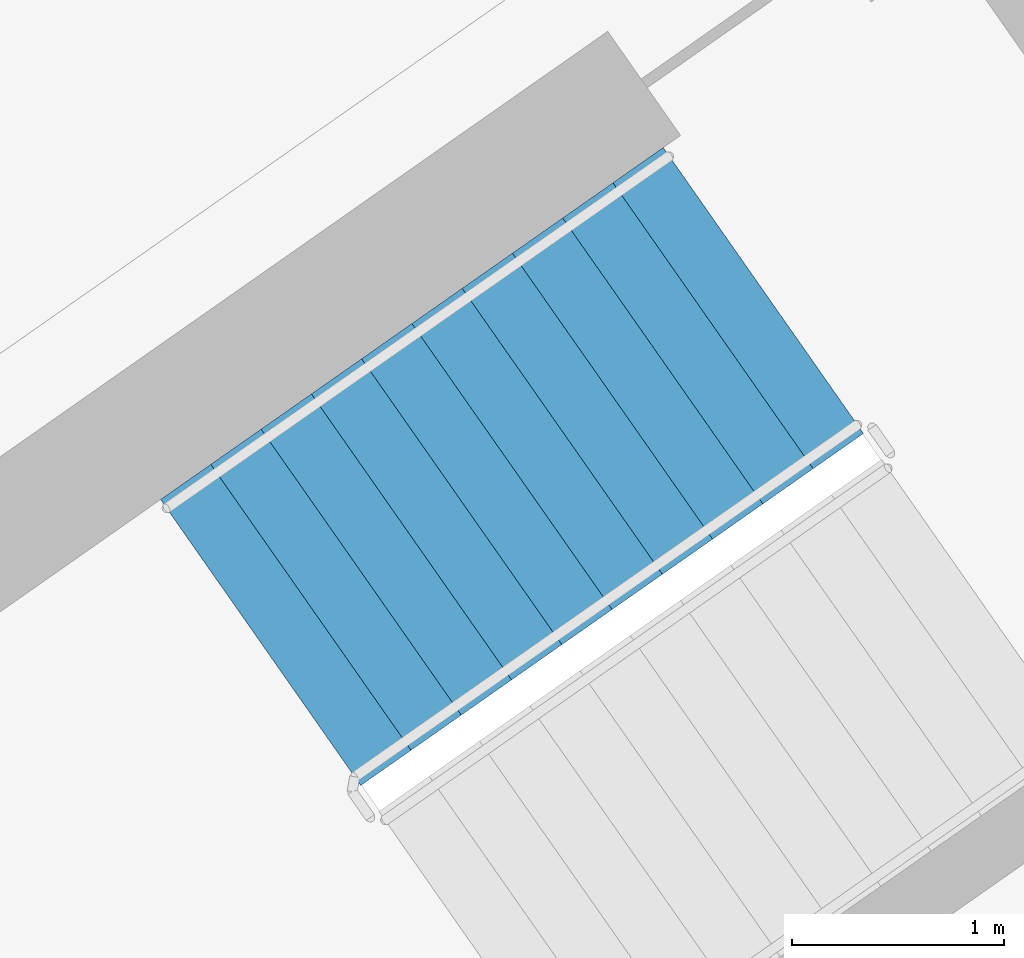
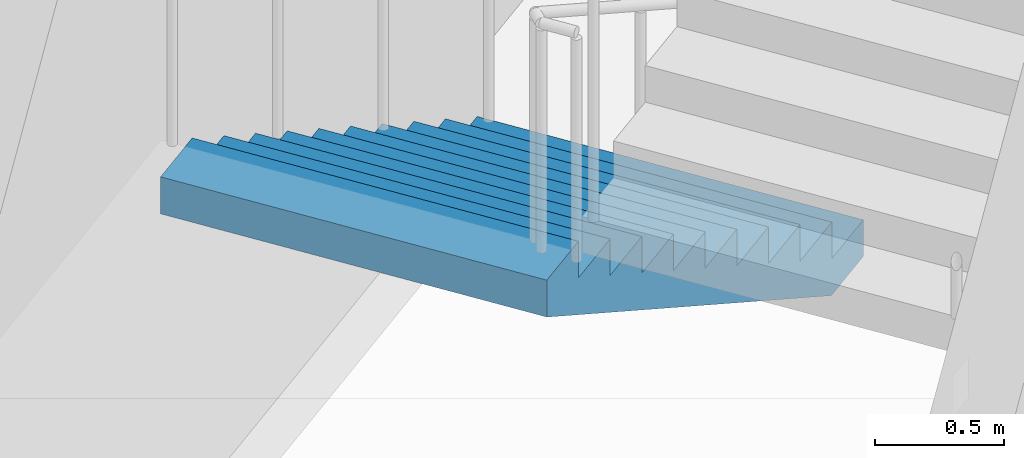
# One storey, part 16 of 27: 1 stair flight, 1 element without a shape of its own.
"""IFC4 building model written with IfcOpenShell, lengths in metres."""

from ifc_helpers import new_model, si_unit, direction, frame, origin, place, context, subcontext, project, spatial, faceted_brep, material, type_object, element, aggregate, save


model = new_model("IFC4")

# Units and contexts
model_context = context("Model", 3, precision=1e-05, world=origin(), true_north=direction((0.0, 1.0)))
body_context = subcontext(model_context, "Body", "Model", "MODEL_VIEW")
ifc_project = project(units=[si_unit("LENGTHUNIT", "METRE"), si_unit("AREAUNIT", "SQUARE_METRE"), si_unit("VOLUMEUNIT", "CUBIC_METRE"), si_unit("PLANEANGLEUNIT", "RADIAN"), si_unit("MASSUNIT", "GRAM", prefix="KILO")], contexts=[model_context])

# Site, building, storey
site_placement = place(None, origin())
site = spatial("IfcSite", under=ifc_project, at=site_placement, CompositionType="ELEMENT")
building_placement = place(site_placement, origin())
building = spatial("IfcBuilding", under=site, at=building_placement, Name="Qamariyya Broadcast Tower", CompositionType="ELEMENT")
storey_placement = place(building_placement, frame((0.0, 0.0, 211.300048828125)))
storey = spatial("IfcBuildingStorey", under=building, at=storey_placement, Name="L50", CompositionType="ELEMENT", Elevation=211.300048828125)

# Stair, stair flight
ifc_material = material(Name="Concrete C50/60", Category="concrete")
stair_type = type_object("IfcStairType", Name="Exit stair 22 risers of 173 mm", PredefinedType="HALF_TURN_STAIR", material=ifc_material)
stair_placement = place(storey_placement, origin())
stair = element("IfcStair", 1, at=stair_placement, inside=storey, type_object=stair_type, Name="L50 Stair E2", PredefinedType="HALF_TURN_STAIR")
stair_flight_type = type_object("IfcStairFlightType", Name="Exit stair flight 11 risers of 173 mm", PredefinedType="STRAIGHT", material=ifc_material)
stair_flight_placement = place(storey_placement, frame((40.558837890625, -47.685302734375, 0.0), z_axis=(0.0, 0.0, 1.0), x_axis=(-0.819152044289, -0.573576436351, 0.0)))
stair_flight = element("IfcStairFlight", 2, at=stair_flight_placement, type_object=stair_flight_type, Name="ST-E2 flight 1", NumberOfRisers=11, NumberOfTreads=10, PredefinedType="STRAIGHT", RiserHeight=0.172727273, TreadLength=0.29, context=body_context, shape_type="Brep", body=[
    faceted_brep([(0.0, 0.824951171875, 0.0), (0.0, 0.824951171875, 0.172607421875), (0.2900390625, 0.824951171875, 0.172607421875), (0.2900390625, 0.824951171875, 0.345458984375), (0.580078125, 0.824951171875, 0.345458984375), (0.580078125, 0.824951171875, 0.51806640625), (0.8701171875, 0.824951171875, 0.51806640625), (0.8701171875, 0.824951171875, 0.69091796875), (1.159912109375, 0.824951171875, 0.69091796875), (1.159912109375, 0.824951171875, 0.863525390625), (1.449951171875, 0.824951171875, 0.863525390625), (1.449951171875, 0.824951171875, 1.036376953125), (1.739990234375, 0.824951171875, 1.036376953125), (1.739990234375, 0.824951171875, 1.208984375), (2.030029296875, 0.824951171875, 1.208984375), (2.030029296875, 0.824951171875, 1.3818359375), (2.320068359375, 0.824951171875, 1.3818359375), (2.320068359375, 0.824951171875, 1.554443359375), (2.610107421875, 0.824951171875, 1.554443359375), (2.610107421875, 0.824951171875, 1.727294921875), (2.89990234375, 0.824951171875, 1.727294921875), (2.89990234375, 0.824951171875, 1.552734375), (0.29296875, 0.824951171875, 0.0), (0.29296875, -0.824951171875, 0.0), (2.89990234375, -0.824951171875, 1.552734375), (2.89990234375, -0.824951171875, 1.727294921875), (2.610107421875, -0.824951171875, 1.727294921875), (2.610107421875, -0.824951171875, 1.554443359375), (2.320068359375, -0.824951171875, 1.554443359375), (2.320068359375, -0.824951171875, 1.3818359375), (2.030029296875, -0.824951171875, 1.3818359375), (2.030029296875, -0.824951171875, 1.208984375), (1.739990234375, -0.824951171875, 1.208984375), (1.739990234375, -0.824951171875, 1.036376953125), (1.449951171875, -0.824951171875, 1.036376953125), (1.449951171875, -0.824951171875, 0.863525390625), (1.159912109375, -0.824951171875, 0.863525390625), (1.159912109375, -0.824951171875, 0.69091796875), (0.8701171875, -0.824951171875, 0.69091796875), (0.8701171875, -0.824951171875, 0.51806640625), (0.580078125, -0.824951171875, 0.51806640625), (0.580078125, -0.824951171875, 0.345458984375), (0.2900390625, -0.824951171875, 0.345458984375), (0.2900390625, -0.824951171875, 0.172607421875), (0.0, -0.824951171875, 0.172607421875), (0.0, -0.824951171875, 0.0), (0.0, 0.10009765625, 0.0), (0.0, 0.086669921875, 0.0), (0.0, 0.0732421875, 0.0), (0.0, 0.06005859375, 0.0), (0.0, 0.046630859375, 0.0), (0.0, 0.033447265625, 0.0), (0.0, 0.02001953125, 0.0), (0.0, 0.006591796875, 0.0), (0.0, -0.006591796875, 0.0), (0.0, -0.02001953125, 0.0), (0.0, -0.033447265625, 0.0), (0.0, -0.046630859375, 0.0), (0.0, -0.06005859375, 0.0), (0.0, -0.0732421875, 0.0), (0.0, -0.086669921875, 0.0), (0.0, -0.10009765625, 0.0), (0.0, -0.10009765625, 0.172607421875), (0.0, -0.086669921875, 0.172607421875), (0.0, -0.0732421875, 0.172607421875), (0.0, -0.06005859375, 0.172607421875), (0.0, -0.046630859375, 0.172607421875), (0.0, -0.033447265625, 0.172607421875), (0.0, -0.02001953125, 0.172607421875), (0.0, -0.006591796875, 0.172607421875), (0.0, 0.006591796875, 0.172607421875), (0.0, 0.02001953125, 0.172607421875), (0.0, 0.033447265625, 0.172607421875), (0.0, 0.046630859375, 0.172607421875), (0.0, 0.06005859375, 0.172607421875), (0.0, 0.0732421875, 0.172607421875), (0.0, 0.086669921875, 0.172607421875), (0.0, 0.10009765625, 0.172607421875), (0.2900390625, -0.10009765625, 0.172607421875), (0.2900390625, -0.086669921875, 0.172607421875), (0.2900390625, -0.0732421875, 0.172607421875), (0.2900390625, -0.06005859375, 0.172607421875), (0.2900390625, -0.046630859375, 0.172607421875), (0.2900390625, -0.033447265625, 0.172607421875), (0.2900390625, -0.02001953125, 0.172607421875), (0.2900390625, -0.006591796875, 0.172607421875), (0.2900390625, 0.006591796875, 0.172607421875), (0.2900390625, 0.02001953125, 0.172607421875), (0.2900390625, 0.033447265625, 0.172607421875), (0.2900390625, 0.046630859375, 0.172607421875), (0.2900390625, 0.06005859375, 0.172607421875), (0.2900390625, 0.0732421875, 0.172607421875), (0.2900390625, 0.086669921875, 0.172607421875), (0.2900390625, 0.10009765625, 0.172607421875), (0.2900390625, -0.10009765625, 0.345458984375), (0.2900390625, -0.086669921875, 0.345458984375), (0.2900390625, -0.0732421875, 0.345458984375), (0.2900390625, -0.06005859375, 0.345458984375), (0.2900390625, -0.046630859375, 0.345458984375), (0.2900390625, -0.033447265625, 0.345458984375), (0.2900390625, -0.02001953125, 0.345458984375), (0.2900390625, -0.006591796875, 0.345458984375), (0.2900390625, 0.006591796875, 0.345458984375), (0.2900390625, 0.02001953125, 0.345458984375), (0.2900390625, 0.033447265625, 0.345458984375), (0.2900390625, 0.046630859375, 0.345458984375), (0.2900390625, 0.06005859375, 0.345458984375), (0.2900390625, 0.0732421875, 0.345458984375), (0.2900390625, 0.086669921875, 0.345458984375), (0.2900390625, 0.10009765625, 0.345458984375), (0.580078125, -0.10009765625, 0.345458984375), (0.580078125, -0.086669921875, 0.345458984375), (0.580078125, -0.0732421875, 0.345458984375), (0.580078125, -0.06005859375, 0.345458984375), (0.580078125, -0.046630859375, 0.345458984375), (0.580078125, -0.033447265625, 0.345458984375), (0.580078125, -0.02001953125, 0.345458984375), (0.580078125, -0.006591796875, 0.345458984375), (0.580078125, 0.006591796875, 0.345458984375), (0.580078125, 0.02001953125, 0.345458984375), (0.580078125, 0.033447265625, 0.345458984375), (0.580078125, 0.046630859375, 0.345458984375), (0.580078125, 0.06005859375, 0.345458984375), (0.580078125, 0.0732421875, 0.345458984375), (0.580078125, 0.086669921875, 0.345458984375), (0.580078125, 0.10009765625, 0.345458984375), (0.580078125, -0.10009765625, 0.51806640625), (0.580078125, -0.086669921875, 0.51806640625), (0.580078125, -0.0732421875, 0.51806640625), (0.580078125, -0.06005859375, 0.51806640625), (0.580078125, -0.046630859375, 0.51806640625), (0.580078125, -0.033447265625, 0.51806640625), (0.580078125, -0.02001953125, 0.51806640625), (0.580078125, -0.006591796875, 0.51806640625), (0.580078125, 0.006591796875, 0.51806640625), (0.580078125, 0.02001953125, 0.51806640625), (0.580078125, 0.033447265625, 0.51806640625), (0.580078125, 0.046630859375, 0.51806640625), (0.580078125, 0.06005859375, 0.51806640625), (0.580078125, 0.0732421875, 0.51806640625), (0.580078125, 0.086669921875, 0.51806640625), (0.580078125, 0.10009765625, 0.51806640625), (0.8701171875, -0.10009765625, 0.51806640625), (0.8701171875, -0.086669921875, 0.51806640625), (0.8701171875, -0.0732421875, 0.51806640625), (0.8701171875, -0.06005859375, 0.51806640625), (0.8701171875, -0.046630859375, 0.51806640625), (0.8701171875, -0.033447265625, 0.51806640625), (0.8701171875, -0.02001953125, 0.51806640625), (0.8701171875, -0.006591796875, 0.51806640625), (0.8701171875, 0.006591796875, 0.51806640625), (0.8701171875, 0.02001953125, 0.51806640625), (0.8701171875, 0.033447265625, 0.51806640625), (0.8701171875, 0.046630859375, 0.51806640625), (0.8701171875, 0.06005859375, 0.51806640625), (0.8701171875, 0.0732421875, 0.51806640625), (0.8701171875, 0.086669921875, 0.51806640625), (0.8701171875, 0.10009765625, 0.51806640625), (0.8701171875, -0.10009765625, 0.69091796875), (0.8701171875, -0.086669921875, 0.69091796875), (0.8701171875, -0.0732421875, 0.69091796875), (0.8701171875, -0.06005859375, 0.69091796875), (0.8701171875, -0.046630859375, 0.69091796875), (0.8701171875, -0.033447265625, 0.69091796875), (0.8701171875, -0.02001953125, 0.69091796875), (0.8701171875, -0.006591796875, 0.69091796875), (0.8701171875, 0.006591796875, 0.69091796875), (0.8701171875, 0.02001953125, 0.69091796875), (0.8701171875, 0.033447265625, 0.69091796875), (0.8701171875, 0.046630859375, 0.69091796875), (0.8701171875, 0.06005859375, 0.69091796875), (0.8701171875, 0.0732421875, 0.69091796875), (0.8701171875, 0.086669921875, 0.69091796875), (0.8701171875, 0.10009765625, 0.69091796875), (1.159912109375, -0.10009765625, 0.69091796875), (1.159912109375, -0.086669921875, 0.69091796875), (1.159912109375, -0.0732421875, 0.69091796875), (1.159912109375, -0.06005859375, 0.69091796875), (1.159912109375, -0.046630859375, 0.69091796875), (1.159912109375, -0.033447265625, 0.69091796875), (1.159912109375, -0.02001953125, 0.69091796875), (1.159912109375, -0.006591796875, 0.69091796875), (1.159912109375, 0.006591796875, 0.69091796875), (1.159912109375, 0.02001953125, 0.69091796875), (1.159912109375, 0.033447265625, 0.69091796875), (1.159912109375, 0.046630859375, 0.69091796875), (1.159912109375, 0.06005859375, 0.69091796875), (1.159912109375, 0.0732421875, 0.69091796875), (1.159912109375, 0.086669921875, 0.69091796875), (1.159912109375, 0.10009765625, 0.69091796875), (1.159912109375, -0.10009765625, 0.863525390625), (1.159912109375, -0.086669921875, 0.863525390625), (1.159912109375, -0.0732421875, 0.863525390625), (1.159912109375, -0.06005859375, 0.863525390625), (1.159912109375, -0.046630859375, 0.863525390625), (1.159912109375, -0.033447265625, 0.863525390625), (1.159912109375, -0.02001953125, 0.863525390625), (1.159912109375, -0.006591796875, 0.863525390625), (1.159912109375, 0.006591796875, 0.863525390625), (1.159912109375, 0.02001953125, 0.863525390625), (1.159912109375, 0.033447265625, 0.863525390625), (1.159912109375, 0.046630859375, 0.863525390625), (1.159912109375, 0.06005859375, 0.863525390625), (1.159912109375, 0.0732421875, 0.863525390625), (1.159912109375, 0.086669921875, 0.863525390625), (1.159912109375, 0.10009765625, 0.863525390625), (1.449951171875, -0.10009765625, 0.863525390625), (1.449951171875, -0.086669921875, 0.863525390625), (1.449951171875, -0.0732421875, 0.863525390625), (1.449951171875, -0.06005859375, 0.863525390625), (1.449951171875, -0.046630859375, 0.863525390625), (1.449951171875, -0.033447265625, 0.863525390625), (1.449951171875, -0.02001953125, 0.863525390625), (1.449951171875, -0.006591796875, 0.863525390625), (1.449951171875, 0.006591796875, 0.863525390625), (1.449951171875, 0.02001953125, 0.863525390625), (1.449951171875, 0.033447265625, 0.863525390625), (1.449951171875, 0.046630859375, 0.863525390625), (1.449951171875, 0.06005859375, 0.863525390625), (1.449951171875, 0.0732421875, 0.863525390625), (1.449951171875, 0.086669921875, 0.863525390625), (1.449951171875, 0.10009765625, 0.863525390625), (1.449951171875, -0.10009765625, 1.036376953125), (1.449951171875, -0.086669921875, 1.036376953125), (1.449951171875, -0.0732421875, 1.036376953125), (1.449951171875, -0.06005859375, 1.036376953125), (1.449951171875, -0.046630859375, 1.036376953125), (1.449951171875, -0.033447265625, 1.036376953125), (1.449951171875, -0.02001953125, 1.036376953125), (1.449951171875, -0.006591796875, 1.036376953125), (1.449951171875, 0.006591796875, 1.036376953125), (1.449951171875, 0.02001953125, 1.036376953125), (1.449951171875, 0.033447265625, 1.036376953125), (1.449951171875, 0.046630859375, 1.036376953125), (1.449951171875, 0.06005859375, 1.036376953125), (1.449951171875, 0.0732421875, 1.036376953125), (1.449951171875, 0.086669921875, 1.036376953125), (1.449951171875, 0.10009765625, 1.036376953125), (1.739990234375, -0.10009765625, 1.036376953125), (1.739990234375, -0.086669921875, 1.036376953125), (1.739990234375, -0.0732421875, 1.036376953125), (1.739990234375, -0.06005859375, 1.036376953125), (1.739990234375, -0.046630859375, 1.036376953125), (1.739990234375, -0.033447265625, 1.036376953125), (1.739990234375, -0.02001953125, 1.036376953125), (1.739990234375, -0.006591796875, 1.036376953125), (1.739990234375, 0.006591796875, 1.036376953125), (1.739990234375, 0.02001953125, 1.036376953125), (1.739990234375, 0.033447265625, 1.036376953125), (1.739990234375, 0.046630859375, 1.036376953125), (1.739990234375, 0.06005859375, 1.036376953125), (1.739990234375, 0.0732421875, 1.036376953125), (1.739990234375, 0.086669921875, 1.036376953125), (1.739990234375, 0.10009765625, 1.036376953125), (1.739990234375, -0.10009765625, 1.208984375), (1.739990234375, -0.086669921875, 1.208984375), (1.739990234375, -0.0732421875, 1.208984375), (1.739990234375, -0.06005859375, 1.208984375), (1.739990234375, -0.046630859375, 1.208984375), (1.739990234375, -0.033447265625, 1.208984375), (1.739990234375, -0.02001953125, 1.208984375), (1.739990234375, -0.006591796875, 1.208984375), (1.739990234375, 0.006591796875, 1.208984375), (1.739990234375, 0.02001953125, 1.208984375), (1.739990234375, 0.033447265625, 1.208984375), (1.739990234375, 0.046630859375, 1.208984375), (1.739990234375, 0.06005859375, 1.208984375), (1.739990234375, 0.0732421875, 1.208984375), (1.739990234375, 0.086669921875, 1.208984375), (1.739990234375, 0.10009765625, 1.208984375), (2.030029296875, -0.10009765625, 1.208984375), (2.030029296875, -0.086669921875, 1.208984375), (2.030029296875, -0.0732421875, 1.208984375), (2.030029296875, -0.06005859375, 1.208984375), (2.030029296875, -0.046630859375, 1.208984375), (2.030029296875, -0.033447265625, 1.208984375), (2.030029296875, -0.02001953125, 1.208984375), (2.030029296875, -0.006591796875, 1.208984375), (2.030029296875, 0.006591796875, 1.208984375), (2.030029296875, 0.02001953125, 1.208984375), (2.030029296875, 0.033447265625, 1.208984375), (2.030029296875, 0.046630859375, 1.208984375), (2.030029296875, 0.06005859375, 1.208984375), (2.030029296875, 0.0732421875, 1.208984375), (2.030029296875, 0.086669921875, 1.208984375), (2.030029296875, 0.10009765625, 1.208984375), (2.030029296875, -0.10009765625, 1.3818359375), (2.030029296875, -0.086669921875, 1.3818359375), (2.030029296875, -0.0732421875, 1.3818359375), (2.030029296875, -0.06005859375, 1.3818359375), (2.030029296875, -0.046630859375, 1.3818359375), (2.030029296875, -0.033447265625, 1.3818359375), (2.030029296875, -0.02001953125, 1.3818359375), (2.030029296875, -0.006591796875, 1.3818359375), (2.030029296875, 0.006591796875, 1.3818359375), (2.030029296875, 0.02001953125, 1.3818359375), (2.030029296875, 0.033447265625, 1.3818359375), (2.030029296875, 0.046630859375, 1.3818359375), (2.030029296875, 0.06005859375, 1.3818359375), (2.030029296875, 0.0732421875, 1.3818359375), (2.030029296875, 0.086669921875, 1.3818359375), (2.030029296875, 0.10009765625, 1.3818359375), (2.320068359375, -0.10009765625, 1.3818359375), (2.320068359375, -0.086669921875, 1.3818359375), (2.320068359375, -0.0732421875, 1.3818359375), (2.320068359375, -0.06005859375, 1.3818359375), (2.320068359375, -0.046630859375, 1.3818359375), (2.320068359375, -0.033447265625, 1.3818359375), (2.320068359375, -0.02001953125, 1.3818359375), (2.320068359375, -0.006591796875, 1.3818359375), (2.320068359375, 0.006591796875, 1.3818359375), (2.320068359375, 0.02001953125, 1.3818359375), (2.320068359375, 0.033447265625, 1.3818359375), (2.320068359375, 0.046630859375, 1.3818359375), (2.320068359375, 0.06005859375, 1.3818359375), (2.320068359375, 0.0732421875, 1.3818359375), (2.320068359375, 0.086669921875, 1.3818359375), (2.320068359375, 0.10009765625, 1.3818359375), (2.320068359375, -0.10009765625, 1.554443359375), (2.320068359375, -0.086669921875, 1.554443359375), (2.320068359375, -0.0732421875, 1.554443359375), (2.320068359375, -0.06005859375, 1.554443359375), (2.320068359375, -0.046630859375, 1.554443359375), (2.320068359375, -0.033447265625, 1.554443359375), (2.320068359375, -0.02001953125, 1.554443359375), (2.320068359375, -0.006591796875, 1.554443359375), (2.320068359375, 0.006591796875, 1.554443359375), (2.320068359375, 0.02001953125, 1.554443359375), (2.320068359375, 0.033447265625, 1.554443359375), (2.320068359375, 0.046630859375, 1.554443359375), (2.320068359375, 0.06005859375, 1.554443359375), (2.320068359375, 0.0732421875, 1.554443359375), (2.320068359375, 0.086669921875, 1.554443359375), (2.320068359375, 0.10009765625, 1.554443359375), (2.610107421875, -0.10009765625, 1.554443359375), (2.610107421875, -0.086669921875, 1.554443359375), (2.610107421875, -0.0732421875, 1.554443359375), (2.610107421875, -0.06005859375, 1.554443359375), (2.610107421875, -0.046630859375, 1.554443359375), (2.610107421875, -0.033447265625, 1.554443359375), (2.610107421875, -0.02001953125, 1.554443359375), (2.610107421875, -0.006591796875, 1.554443359375), (2.610107421875, 0.006591796875, 1.554443359375), (2.610107421875, 0.02001953125, 1.554443359375), (2.610107421875, 0.033447265625, 1.554443359375), (2.610107421875, 0.046630859375, 1.554443359375), (2.610107421875, 0.06005859375, 1.554443359375), (2.610107421875, 0.0732421875, 1.554443359375), (2.610107421875, 0.086669921875, 1.554443359375), (2.610107421875, 0.10009765625, 1.554443359375), (2.610107421875, -0.10009765625, 1.727294921875), (2.610107421875, -0.086669921875, 1.727294921875), (2.610107421875, -0.0732421875, 1.727294921875), (2.610107421875, -0.06005859375, 1.727294921875), (2.610107421875, -0.046630859375, 1.727294921875), (2.610107421875, -0.033447265625, 1.727294921875), (2.610107421875, -0.02001953125, 1.727294921875), (2.610107421875, -0.006591796875, 1.727294921875), (2.610107421875, 0.006591796875, 1.727294921875), (2.610107421875, 0.02001953125, 1.727294921875), (2.610107421875, 0.033447265625, 1.727294921875), (2.610107421875, 0.046630859375, 1.727294921875), (2.610107421875, 0.06005859375, 1.727294921875), (2.610107421875, 0.0732421875, 1.727294921875), (2.610107421875, 0.086669921875, 1.727294921875), (2.610107421875, 0.10009765625, 1.727294921875), (2.89990234375, -0.10009765625, 1.727294921875), (2.89990234375, -0.086669921875, 1.727294921875), (2.89990234375, -0.0732421875, 1.727294921875), (2.89990234375, -0.06005859375, 1.727294921875), (2.89990234375, -0.046630859375, 1.727294921875), (2.89990234375, -0.033447265625, 1.727294921875), (2.89990234375, -0.02001953125, 1.727294921875), (2.89990234375, -0.006591796875, 1.727294921875), (2.89990234375, 0.006591796875, 1.727294921875), (2.89990234375, 0.02001953125, 1.727294921875), (2.89990234375, 0.033447265625, 1.727294921875), (2.89990234375, 0.046630859375, 1.727294921875), (2.89990234375, 0.06005859375, 1.727294921875), (2.89990234375, 0.0732421875, 1.727294921875), (2.89990234375, 0.086669921875, 1.727294921875), (2.89990234375, 0.10009765625, 1.727294921875), (2.89990234375, -0.10009765625, 1.552734375), (2.89990234375, -0.086669921875, 1.552734375), (2.89990234375, -0.0732421875, 1.552734375), (2.89990234375, -0.06005859375, 1.552734375), (2.89990234375, -0.046630859375, 1.552734375), (2.89990234375, -0.033447265625, 1.552734375), (2.89990234375, -0.02001953125, 1.552734375), (2.89990234375, -0.006591796875, 1.552734375), (2.89990234375, 0.006591796875, 1.552734375), (2.89990234375, 0.02001953125, 1.552734375), (2.89990234375, 0.033447265625, 1.552734375), (2.89990234375, 0.046630859375, 1.552734375), (2.89990234375, 0.06005859375, 1.552734375), (2.89990234375, 0.0732421875, 1.552734375), (2.89990234375, 0.086669921875, 1.552734375), (2.89990234375, 0.10009765625, 1.552734375), (0.29296875, -0.10009765625, 0.0), (0.29296875, -0.086669921875, 0.0), (0.29296875, -0.0732421875, 0.0), (0.29296875, -0.06005859375, 0.0), (0.29296875, -0.046630859375, 0.0), (0.29296875, -0.033447265625, 0.0), (0.29296875, -0.02001953125, 0.0), (0.29296875, -0.006591796875, 0.0), (0.29296875, 0.006591796875, 0.0), (0.29296875, 0.02001953125, 0.0), (0.29296875, 0.033447265625, 0.0), (0.29296875, 0.046630859375, 0.0), (0.29296875, 0.06005859375, 0.0), (0.29296875, 0.0732421875, 0.0), (0.29296875, 0.086669921875, 0.0), (0.29296875, 0.10009765625, 0.0)], [[[0, 1, 2, 3, 4, 5, 6, 7, 8, 9, 10, 11, 12, 13, 14, 15, 16, 17, 18, 19, 20, 21, 22]], [[23, 24, 25, 26, 27, 28, 29, 30, 31, 32, 33, 34, 35, 36, 37, 38, 39, 40, 41, 42, 43, 44, 45]], [[0, 46, 47, 48, 49, 50, 51, 52, 53, 54, 55, 56, 57, 58, 59, 60, 61, 45, 44, 62, 63, 64, 65, 66, 67, 68, 69, 70, 71, 72, 73, 74, 75, 76, 77, 1]], [[1, 77, 76, 75, 74, 73, 72, 71, 70, 69, 68, 67, 66, 65, 64, 63, 62, 44, 43, 78, 79, 80, 81, 82, 83, 84, 85, 86, 87, 88, 89, 90, 91, 92, 93, 2]], [[2, 93, 92, 91, 90, 89, 88, 87, 86, 85, 84, 83, 82, 81, 80, 79, 78, 43, 42, 94, 95, 96, 97, 98, 99, 100, 101, 102, 103, 104, 105, 106, 107, 108, 109, 3]], [[3, 109, 108, 107, 106, 105, 104, 103, 102, 101, 100, 99, 98, 97, 96, 95, 94, 42, 41, 110, 111, 112, 113, 114, 115, 116, 117, 118, 119, 120, 121, 122, 123, 124, 125, 4]], [[4, 125, 124, 123, 122, 121, 120, 119, 118, 117, 116, 115, 114, 113, 112, 111, 110, 41, 40, 126, 127, 128, 129, 130, 131, 132, 133, 134, 135, 136, 137, 138, 139, 140, 141, 5]], [[5, 141, 140, 139, 138, 137, 136, 135, 134, 133, 132, 131, 130, 129, 128, 127, 126, 40, 39, 142, 143, 144, 145, 146, 147, 148, 149, 150, 151, 152, 153, 154, 155, 156, 157, 6]], [[6, 157, 156, 155, 154, 153, 152, 151, 150, 149, 148, 147, 146, 145, 144, 143, 142, 39, 38, 158, 159, 160, 161, 162, 163, 164, 165, 166, 167, 168, 169, 170, 171, 172, 173, 7]], [[7, 173, 172, 171, 170, 169, 168, 167, 166, 165, 164, 163, 162, 161, 160, 159, 158, 38, 37, 174, 175, 176, 177, 178, 179, 180, 181, 182, 183, 184, 185, 186, 187, 188, 189, 8]], [[8, 189, 188, 187, 186, 185, 184, 183, 182, 181, 180, 179, 178, 177, 176, 175, 174, 37, 36, 190, 191, 192, 193, 194, 195, 196, 197, 198, 199, 200, 201, 202, 203, 204, 205, 9]], [[9, 205, 204, 203, 202, 201, 200, 199, 198, 197, 196, 195, 194, 193, 192, 191, 190, 36, 35, 206, 207, 208, 209, 210, 211, 212, 213, 214, 215, 216, 217, 218, 219, 220, 221, 10]], [[10, 221, 220, 219, 218, 217, 216, 215, 214, 213, 212, 211, 210, 209, 208, 207, 206, 35, 34, 222, 223, 224, 225, 226, 227, 228, 229, 230, 231, 232, 233, 234, 235, 236, 237, 11]], [[11, 237, 236, 235, 234, 233, 232, 231, 230, 229, 228, 227, 226, 225, 224, 223, 222, 34, 33, 238, 239, 240, 241, 242, 243, 244, 245, 246, 247, 248, 249, 250, 251, 252, 253, 12]], [[12, 253, 252, 251, 250, 249, 248, 247, 246, 245, 244, 243, 242, 241, 240, 239, 238, 33, 32, 254, 255, 256, 257, 258, 259, 260, 261, 262, 263, 264, 265, 266, 267, 268, 269, 13]], [[13, 269, 268, 267, 266, 265, 264, 263, 262, 261, 260, 259, 258, 257, 256, 255, 254, 32, 31, 270, 271, 272, 273, 274, 275, 276, 277, 278, 279, 280, 281, 282, 283, 284, 285, 14]], [[14, 285, 284, 283, 282, 281, 280, 279, 278, 277, 276, 275, 274, 273, 272, 271, 270, 31, 30, 286, 287, 288, 289, 290, 291, 292, 293, 294, 295, 296, 297, 298, 299, 300, 301, 15]], [[15, 301, 300, 299, 298, 297, 296, 295, 294, 293, 292, 291, 290, 289, 288, 287, 286, 30, 29, 302, 303, 304, 305, 306, 307, 308, 309, 310, 311, 312, 313, 314, 315, 316, 317, 16]], [[16, 317, 316, 315, 314, 313, 312, 311, 310, 309, 308, 307, 306, 305, 304, 303, 302, 29, 28, 318, 319, 320, 321, 322, 323, 324, 325, 326, 327, 328, 329, 330, 331, 332, 333, 17]], [[17, 333, 332, 331, 330, 329, 328, 327, 326, 325, 324, 323, 322, 321, 320, 319, 318, 28, 27, 334, 335, 336, 337, 338, 339, 340, 341, 342, 343, 344, 345, 346, 347, 348, 349, 18]], [[18, 349, 348, 347, 346, 345, 344, 343, 342, 341, 340, 339, 338, 337, 336, 335, 334, 27, 26, 350, 351, 352, 353, 354, 355, 356, 357, 358, 359, 360, 361, 362, 363, 364, 365, 19]], [[19, 365, 364, 363, 362, 361, 360, 359, 358, 357, 356, 355, 354, 353, 352, 351, 350, 26, 25, 366, 367, 368, 369, 370, 371, 372, 373, 374, 375, 376, 377, 378, 379, 380, 381, 20]], [[20, 381, 380, 379, 378, 377, 376, 375, 374, 373, 372, 371, 370, 369, 368, 367, 366, 25, 24, 382, 383, 384, 385, 386, 387, 388, 389, 390, 391, 392, 393, 394, 395, 396, 397, 21]], [[21, 397, 396, 395, 394, 393, 392, 391, 390, 389, 388, 387, 386, 385, 384, 383, 382, 24, 23, 398, 399, 400, 401, 402, 403, 404, 405, 406, 407, 408, 409, 410, 411, 412, 413, 22]], [[22, 413, 412, 411, 410, 409, 408, 407, 406, 405, 404, 403, 402, 401, 400, 399, 398, 23, 45, 61, 60, 59, 58, 57, 56, 55, 54, 53, 52, 51, 50, 49, 48, 47, 46, 0]]]),
])
aggregate(stair, [stair_flight])

save(model, "model.ifc")
